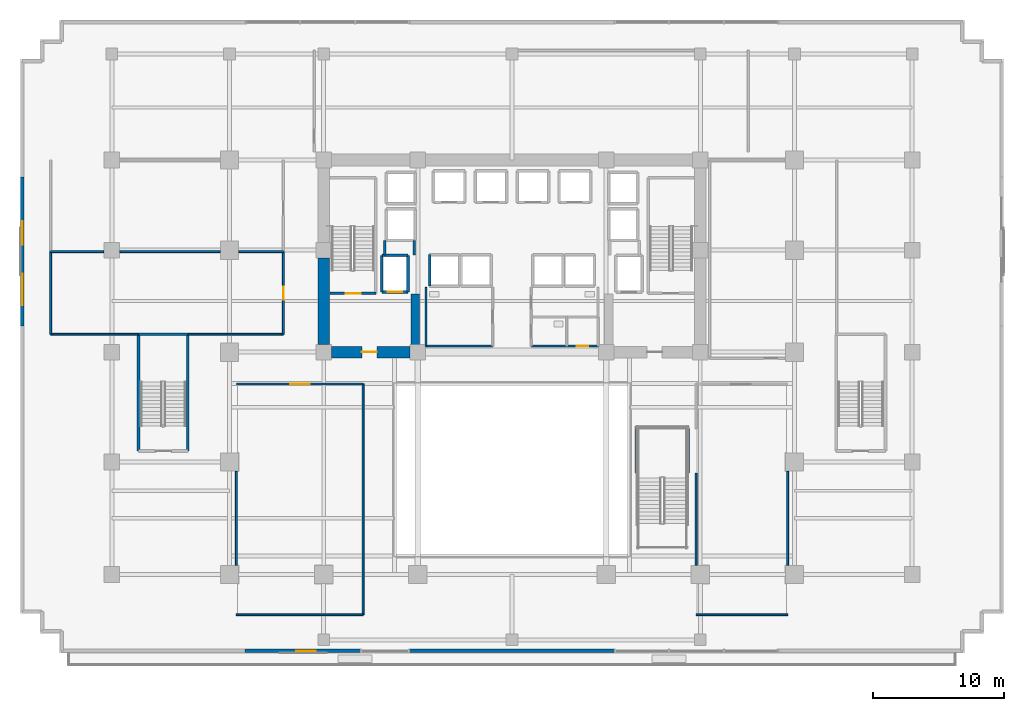
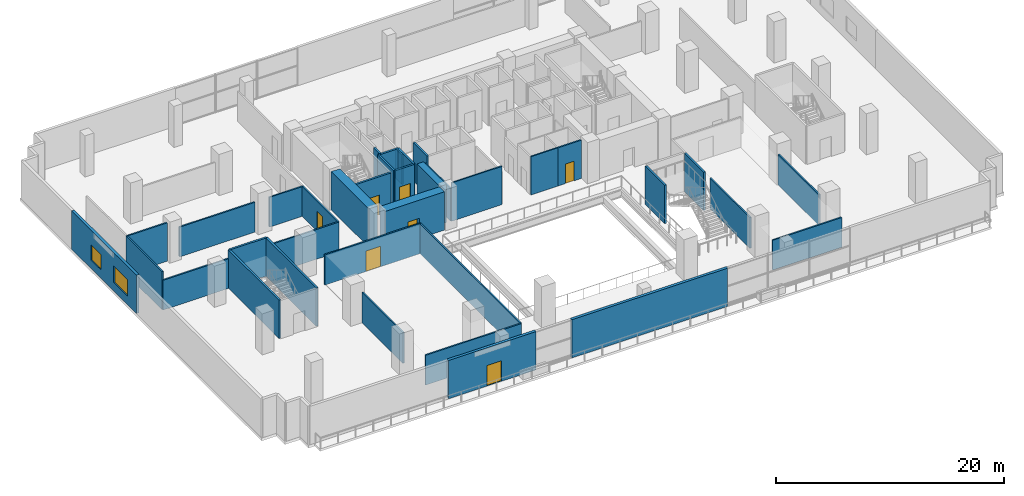
# One storey, part 12 of 22: 37 walls, 7 doors, 2 windows, 9 openings.
"""IFC4 building model written with IfcOpenShell, lengths in metres."""

from ifc_helpers import new_model, si_unit, direction, frame, frame_2d, origin, place, context, subcontext, project, spatial, rectangle, extrude, source, transform, mapped, material, layer, layer_set, type_object, element, fill, save


model = new_model("IFC4")

# Units and contexts
model_context = context("Model", 3, precision=1e-05, world=origin(), true_north=direction((0.0, 1.0)))
body_context = subcontext(model_context, "Body", "Model", "MODEL_VIEW")
ifc_project = project(units=[si_unit("LENGTHUNIT", "METRE"), si_unit("AREAUNIT", "SQUARE_METRE"), si_unit("VOLUMEUNIT", "CUBIC_METRE"), si_unit("PLANEANGLEUNIT", "RADIAN"), si_unit("MASSUNIT", "GRAM", prefix="KILO")], contexts=[model_context])

# Site, building, storey
site_placement = place(None, origin())
site = spatial("IfcSite", under=ifc_project, at=site_placement, CompositionType="ELEMENT")
building_placement = place(site_placement, origin())
building = spatial("IfcBuilding", under=site, at=building_placement, Name="Zarnakvel Exchange Tower", CompositionType="ELEMENT")
storey_placement = place(building_placement, frame((0.0, 0.0, 9.39990234375)))
storey = spatial("IfcBuildingStorey", under=building, at=storey_placement, Name="L02", CompositionType="ELEMENT", Elevation=9.39990234375)

# Wall
ifc_material_1 = material(Name="Concrete C80/95", Category="concrete")
ifc_layer_1 = layer(ifc_material_1, 0.89990234375)
ifc_layer_set_1 = layer_set([ifc_layer_1], Name="Concrete C80/95")
wall_type_1 = type_object("IfcWallType", Name="CW-C1", PredefinedType="SHEAR", material=ifc_layer_set_1)
wall_1_placement = place(storey_placement, frame((-14.39990234375, -0.60009765625, 0.0), z_axis=(0.0, 0.0, 1.0), x_axis=(0.0, 1.0, 0.0)))
element("IfcWall", 1, at=wall_1_placement, inside=storey, type_object=wall_type_1, Name="L02 Rear Core Shear Wall W1 (CW-C1)", PredefinedType="SHEAR", context=body_context, shape_type="SweptSolid", body=[
    extrude(rectangle(XDim=6.60009765625, YDim=0.89990234375, at=frame_2d((3.300048828125, 0.0))), origin(), (0.0, 0.0, 1.0), 4.10009765625),
])

# Wall, opening, door
wall_2_placement = place(storey_placement, frame((-7.800048828125, -1.199951171875, 0.0), z_axis=(0.0, 0.0, 1.0), x_axis=(-1.0, 0.0, 0.0)))
wall_2 = element("IfcWall", 2, at=wall_2_placement, inside=storey, type_object=wall_type_1, Name="L02 Rear Core Shear Wall SW (CW-C1)", PredefinedType="SHEAR", context=body_context, shape_type="SweptSolid", body=[
    extrude(rectangle(XDim=6.0, YDim=0.89990234375, at=frame_2d((3.0, 0.0))), origin(), (0.0, 0.0, 1.0), 4.10009765625),
])
opening_1_placement = place(wall_2_placement, frame((2.52490234375, 0.0, 0.0)))
opening_1 = element("IfcOpeningElement", 3, at=opening_1_placement, cuts=wall_2, Name="Opening D-L02-03", PredefinedType="OPENING", context=body_context, shape_type="SweptSolid", body=[
    extrude(rectangle(XDim=1.14990234375, YDim=2.14990234375, at=frame_2d((0.574951171875, 1.074951171875))), frame((0.0, 0.4599609375, 0.0), z_axis=(0.0, -1.0, 0.0), x_axis=(1.0, 0.0, 0.0)), (0.0, 0.0, 1.0), 0.919921875),
])
ifc_material_2 = material(Name="Painted Galvanised Steel S355", Category="steel")
door_type_1 = type_object("IfcDoorType", Name="DT-04", OperationType="NOTDEFINED", PredefinedType="DOOR", material=ifc_material_2)
shared_shape_1 = source(origin(), body_context, "Body", "SweptSolid", [
    extrude(rectangle(XDim=1.14990234375, YDim=2.14990234375, at=frame_2d((0.574951171875, 1.074951171875))), frame((0.0, 0.02490234375, 0.0), z_axis=(0.0, -1.0, 0.0), x_axis=(1.0, 0.0, 0.0)), (0.0, 0.0, 1.0), 0.050048828125),
])
door_1_placement = place(opening_1_placement, origin())
door_1 = element("IfcDoor", 4, at=door_1_placement, inside=storey, type_object=door_type_1, Name="L02 Firefighting Lobby West Door D-L02-03", OperationType="SINGLE_SWING_LEFT", OverallHeight=2.14990234375, OverallWidth=1.14990234375, PredefinedType="DOOR", context=body_context, shape_type="MappedRepresentation", body=[
    mapped(shared_shape_1, transform((0.0, 0.0, 0.0), x_axis=(1.0, 0.0, 0.0), y_axis=(0.0, 1.0, 0.0), z_axis=(0.0, 0.0, 1.0), scale=1.0)),
])
fill(opening_1, door_1)

# Wall
ifc_layer_2 = layer(ifc_material_1, 0.64990234375)
ifc_layer_set_2 = layer_set([ifc_layer_2], Name="Concrete C80/95")
wall_type_2 = type_object("IfcWallType", Name="CW-C2", PredefinedType="SHEAR", material=ifc_layer_set_2)
wall_3_placement = place(storey_placement, frame((-7.39990234375, -0.75, 0.0), z_axis=(0.0, 0.0, 1.0), x_axis=(0.0, 1.0, 0.0)))
element("IfcWall", 5, at=wall_3_placement, inside=storey, type_object=wall_type_2, Name="L02 Rear Core Shear Wall IW (CW-C2)", PredefinedType="SHEAR", context=body_context, shape_type="SweptSolid", body=[
    extrude(rectangle(XDim=4.0, YDim=0.64990234375, at=frame_2d((2.0, 0.0))), origin(), (0.0, 0.0, 1.0), 4.10009765625),
])

# Wall, openings, windows
ifc_material_3 = material(Name="Precast concrete C40/50", Category="concrete")
ifc_layer_3 = layer(ifc_material_3, 0.280029296875)
ifc_layer_set_3 = layer_set([ifc_layer_3], Name="Precast concrete C40/50")
wall_type_3 = type_object("IfcWallType", Name="EW-01", PredefinedType="SOLIDWALL", material=ifc_layer_set_3)
wall_4_placement = place(storey_placement, frame((-37.43994140625, 0.800048828125, 0.0), z_axis=(0.0, 0.0, 1.0), x_axis=(0.0, 1.0, 0.0)))
wall_4 = element("IfcWall", 6, at=wall_4_placement, inside=storey, type_object=wall_type_3, Name="L02 Exterior Precast Spandrel Wall EW-L02-WF (EW-01)", PredefinedType="SOLIDWALL", context=body_context, shape_type="SweptSolid", body=[
    extrude(rectangle(XDim=11.39990234375, YDim=0.280029296875, at=frame_2d((5.699951171875, 0.0))), origin(), (0.0, 0.0, 1.0), 4.10009765625),
])
opening_2_placement = place(wall_4_placement, frame((1.60009765625, 0.0, 0.89990234375)))
opening_2 = element("IfcOpeningElement", 7, at=opening_2_placement, cuts=wall_4, Name="Opening WN-01", PredefinedType="OPENING", context=body_context, shape_type="SweptSolid", body=[
    extrude(rectangle(XDim=2.39990234375, YDim=1.800048828125, at=frame_2d((1.199951171875, 0.89990234375))), frame((0.0, 0.14990234375, 0.0), z_axis=(0.0, -1.0, 0.0), x_axis=(1.0, 0.0, 0.0)), (0.0, 0.0, 1.0), 0.300048828125),
])
opening_3_placement = place(wall_4_placement, frame((6.199951171875, 0.0, 0.89990234375)))
opening_3 = element("IfcOpeningElement", 8, at=opening_3_placement, cuts=wall_4, Name="Opening WN-02", PredefinedType="OPENING", context=body_context, shape_type="SweptSolid", body=[
    extrude(rectangle(XDim=1.800048828125, YDim=1.64990234375, at=frame_2d((0.89990234375, 0.824951171875))), frame((0.0, 0.14990234375, 0.0), z_axis=(0.0, -1.0, 0.0), x_axis=(1.0, 0.0, 0.0)), (0.0, 0.0, 1.0), 0.300048828125),
])
ifc_material_4 = material(Name="Double Low-E Laminated Vision Glass", Category="glass")
window_type_1 = type_object("IfcWindowType", Name="WN-01", PartitioningType="SINGLE_PANEL", PredefinedType="WINDOW", material=ifc_material_4)
shared_shape_2 = source(origin(), body_context, "Body", "SweptSolid", [
    extrude(rectangle(XDim=2.39990234375, YDim=1.800048828125, at=frame_2d((1.199951171875, 0.89990234375))), frame((0.0, 0.030029296875, 0.0), z_axis=(0.0, -1.0, 0.0), x_axis=(1.0, 0.0, 0.0)), (0.0, 0.0, 1.0), 0.06005859375),
])
window_1_placement = place(opening_2_placement, origin())
window_1 = element("IfcWindow", 9, at=window_1_placement, inside=storey, type_object=window_type_1, Name="L02 West Flank Window 1", OverallHeight=1.800048828125, OverallWidth=2.39990234375, PartitioningType="SINGLE_PANEL", PredefinedType="WINDOW", context=body_context, shape_type="MappedRepresentation", body=[
    mapped(shared_shape_2, transform((0.0, 0.0, 0.0), x_axis=(1.0, 0.0, 0.0), y_axis=(0.0, 1.0, 0.0), z_axis=(0.0, 0.0, 1.0), scale=1.0)),
])
fill(opening_2, window_1)
window_type_2 = type_object("IfcWindowType", Name="WN-02", PartitioningType="SINGLE_PANEL", PredefinedType="WINDOW", material=ifc_material_4)
shared_shape_3 = source(origin(), body_context, "Body", "SweptSolid", [
    extrude(rectangle(XDim=1.800048828125, YDim=1.64990234375, at=frame_2d((0.89990234375, 0.824951171875))), frame((0.0, 0.030029296875, 0.0), z_axis=(0.0, -1.0, 0.0), x_axis=(1.0, 0.0, 0.0)), (0.0, 0.0, 1.0), 0.06005859375),
])
window_2_placement = place(opening_3_placement, origin())
window_2 = element("IfcWindow", 10, at=window_2_placement, inside=storey, type_object=window_type_2, Name="L02 West Flank Window 2", OverallHeight=1.64990234375, OverallWidth=1.800048828125, PartitioningType="SINGLE_PANEL", PredefinedType="WINDOW", context=body_context, shape_type="MappedRepresentation", body=[
    mapped(shared_shape_3, transform((0.0, 0.0, 0.0), x_axis=(1.0, 0.0, 0.0), y_axis=(0.0, 1.0, 0.0), z_axis=(0.0, 0.0, 1.0), scale=1.0)),
])
fill(opening_3, window_2)

# Wall, opening, door
wall_5_placement = place(storey_placement, frame((-11.5048828125, -24.0400390625, 0.0), z_axis=(0.0, 0.0, 1.0), x_axis=(-1.0, 0.0, 0.0)))
wall_5 = element("IfcWall", 11, at=wall_5_placement, inside=storey, type_object=wall_type_3, Name="L02 Exterior Precast Spandrel Wall EW-L02-PT (EW-01)", PredefinedType="SOLIDWALL", context=body_context, shape_type="SweptSolid", body=[
    extrude(rectangle(XDim=8.89501953125, YDim=0.280029296875, at=frame_2d((4.447509765625, 0.0))), origin(), (0.0, 0.0, 1.0), 4.10009765625),
])
opening_4_placement = place(wall_5_placement, frame((3.4951171875, 0.0, 0.0)))
opening_4 = element("IfcOpeningElement", 12, at=opening_4_placement, cuts=wall_5, Name="Opening TD-L02-01", PredefinedType="OPENING", context=body_context, shape_type="SweptSolid", body=[
    extrude(rectangle(XDim=1.5, YDim=2.199951171875, at=frame_2d((0.75, 1.10009765625))), frame((0.0, 0.14990234375, 0.0), z_axis=(0.0, -1.0, 0.0), x_axis=(1.0, 0.0, 0.0)), (0.0, 0.0, 1.0), 0.300048828125),
])
ifc_material_5 = material(Name="Architectural Bronze Anodised Aluminium", Category="aluminium")
door_type_2 = type_object("IfcDoorType", Name="DT-10", OperationType="NOTDEFINED", PredefinedType="DOOR", material=ifc_material_5)
shared_shape_4 = source(origin(), body_context, "Body", "SweptSolid", [
    extrude(rectangle(XDim=1.5, YDim=2.199951171875, at=frame_2d((0.75, 1.10009765625))), frame((0.0, 0.02490234375, 0.0), z_axis=(0.0, -1.0, 0.0), x_axis=(1.0, 0.0, 0.0)), (0.0, 0.0, 1.0), 0.050048828125),
])
door_2_placement = place(opening_4_placement, origin())
door_2 = element("IfcDoor", 13, at=door_2_placement, inside=storey, type_object=door_type_2, Name="L02 Podium Terrace Access Door TD-L02-01", OperationType="DOUBLE_DOOR_SINGLE_SWING", OverallHeight=2.199951171875, OverallWidth=1.5, PredefinedType="DOOR", context=body_context, shape_type="MappedRepresentation", body=[
    mapped(shared_shape_4, transform((0.0, 0.0, 0.0), x_axis=(1.0, 0.0, 0.0), y_axis=(0.0, 1.0, 0.0), z_axis=(0.0, 0.0, 1.0), scale=1.0)),
])
fill(opening_4, door_2)

# Wall
wall_6_placement = place(storey_placement, frame((-7.89501953125, -24.0400390625, 0.0), z_axis=(0.0, 0.0, 1.0), x_axis=(1.0, 0.0, 0.0)))
element("IfcWall", 14, at=wall_6_placement, inside=storey, type_object=wall_type_3, Name="L02 Exterior Precast Spandrel Wall EWC-L02-21 (EW-01)", PredefinedType="SOLIDWALL", context=body_context, shape_type="SweptSolid", body=[
    extrude(rectangle(XDim=15.7900390625, YDim=0.280029296875, at=frame_2d((7.89501953125, 0.0))), origin(), (0.0, 0.0, 1.0), 4.10009765625),
])

# Wall, opening, door
ifc_material_6 = material(Name="Fire-Rated Gypsum Stud Partition", Category="gypsum")
ifc_layer_4 = layer(ifc_material_6, 0.14990234375)
ifc_layer_set_4 = layer_set([ifc_layer_4], Name="Fire-Rated Gypsum Stud Partition")
wall_type_4 = type_object("IfcWallType", Name="PT-01", PredefinedType="PARTITIONING", material=ifc_layer_set_4)
wall_7_placement = place(storey_placement, frame((6.580078125, -0.72998046875, 0.0), z_axis=(0.0, 0.0, 1.0), x_axis=(-1.0, 0.0, 0.0)))
wall_7 = element("IfcWall", 15, at=wall_7_placement, inside=storey, type_object=wall_type_4, Name="L02 Partition Wall PWALL-L02-020 (PT-01)", PredefinedType="PARTITIONING", context=body_context, shape_type="SweptSolid", body=[
    extrude(rectangle(XDim=2.400146484375, YDim=0.14990234375, at=frame_2d((1.2001953125, 0.0))), origin(), (0.0, 0.0, 1.0), 4.10009765625),
])
opening_5_placement = place(wall_7_placement, frame((0.760009765625, 0.0, 0.0)))
opening_5 = element("IfcOpeningElement", 16, at=opening_5_placement, cuts=wall_7, Name="Opening D-L02-08", PredefinedType="OPENING", context=body_context, shape_type="SweptSolid", body=[
    extrude(rectangle(XDim=0.8798828125, YDim=2.10009765625, at=frame_2d((0.43994140625, 1.050048828125))), frame((0.0, 0.0849609375, 0.0), z_axis=(0.0, -1.0, 0.0), x_axis=(1.0, 0.0, 0.0)), (0.0, 0.0, 1.0), 0.169921875),
])
door_type_3 = type_object("IfcDoorType", Name="DT-08", OperationType="NOTDEFINED", PredefinedType="DOOR", material=ifc_material_2)
shared_shape_5 = source(origin(), body_context, "Body", "SweptSolid", [
    extrude(rectangle(XDim=0.8798828125, YDim=2.10009765625, at=frame_2d((0.43994140625, 1.050048828125))), frame((0.0, 0.02490234375, 0.0), z_axis=(0.0, -1.0, 0.0), x_axis=(1.0, 0.0, 0.0)), (0.0, 0.0, 1.0), 0.050048828125),
])
door_3_placement = place(opening_5_placement, origin())
door_3 = element("IfcDoor", 17, at=door_3_placement, inside=storey, type_object=door_type_3, Name="L02 Cleaners Store Door D-L02-08", OperationType="SINGLE_SWING_RIGHT", OverallHeight=2.10009765625, OverallWidth=0.8798828125, PredefinedType="DOOR", context=body_context, shape_type="MappedRepresentation", body=[
    mapped(shared_shape_5, transform((0.0, 0.0, 0.0), x_axis=(1.0, 0.0, 0.0), y_axis=(0.0, 1.0, 0.0), z_axis=(0.0, 0.0, 1.0), scale=1.0)),
])
fill(opening_5, door_3)

# Wall
wall_8_placement = place(storey_placement, frame((-11.3798828125, -21.280029296875, 0.0), z_axis=(0.0, 0.0, 1.0), x_axis=(-1.0, 0.0, 0.0)))
element("IfcWall", 18, at=wall_8_placement, inside=storey, type_object=wall_type_4, Name="L02 Partition Wall PWALL-L02-030 (PT-01)", PredefinedType="PARTITIONING", context=body_context, shape_type="SweptSolid", body=[
    extrude(rectangle(XDim=9.7001953125, YDim=0.14990234375, at=frame_2d((4.85009765625, 0.0))), origin(), (0.0, 0.0, 1.0), 3.190185546875),
])

# Wall, opening, door
wall_9_placement = place(storey_placement, frame((-21.080078125, -3.6298828125, 0.0), z_axis=(0.0, 0.0, 1.0), x_axis=(1.0, 0.0, 0.0)))
wall_9 = element("IfcWall", 19, at=wall_9_placement, inside=storey, type_object=wall_type_4, Name="L02 Partition Wall PWALL-L02-031 (PT-01)", PredefinedType="PARTITIONING", context=body_context, shape_type="SweptSolid", body=[
    extrude(rectangle(XDim=9.7001953125, YDim=0.14990234375, at=frame_2d((4.85009765625, 0.0))), origin(), (0.0, 0.0, 1.0), 3.2392578125),
])
opening_6_placement = place(wall_9_placement, frame((4.1298828125, 0.0, 0.0)))
opening_6 = element("IfcOpeningElement", 20, at=opening_6_placement, cuts=wall_9, Name="Opening D-L02-11", PredefinedType="OPENING", context=body_context, shape_type="SweptSolid", body=[
    extrude(rectangle(XDim=1.5, YDim=2.199951171875, at=frame_2d((0.75, 1.10009765625))), frame((0.0, 0.0849609375, 0.0), z_axis=(0.0, -1.0, 0.0), x_axis=(1.0, 0.0, 0.0)), (0.0, 0.0, 1.0), 0.169921875),
])
ifc_material_7 = material(Name="Timber Acoustic Veneer", Category="wood")
door_type_4 = type_object("IfcDoorType", Name="DT-03", OperationType="NOTDEFINED", PredefinedType="DOOR", material=ifc_material_7)
door_4_placement = place(opening_6_placement, origin())
door_4 = element("IfcDoor", 21, at=door_4_placement, inside=storey, type_object=door_type_4, Name="L02 Financial Exhibition Hall Door D-L02-11", OperationType="DOUBLE_DOOR_SINGLE_SWING", OverallHeight=2.199951171875, OverallWidth=1.5, PredefinedType="DOOR", context=body_context, shape_type="MappedRepresentation", body=[
    mapped(shared_shape_4, transform((0.0, 0.0, 0.0), x_axis=(1.0, 0.0, 0.0), y_axis=(0.0, 1.0, 0.0), z_axis=(0.0, 0.0, 1.0), scale=1.0)),
])
fill(opening_6, door_4)

# Walls
wall_10_placement = place(storey_placement, frame((-21.080078125, -17.47998046875, 0.0), z_axis=(0.0, 0.0, 1.0), x_axis=(0.0, 1.0, 0.0)))
element("IfcWall", 22, at=wall_10_placement, inside=storey, type_object=wall_type_4, Name="L02 Partition Wall PWALL-L02-032 (PT-01)", PredefinedType="PARTITIONING", context=body_context, shape_type="SweptSolid", body=[
    extrude(rectangle(XDim=7.159912109375, YDim=0.14990234375, at=frame_2d((3.580078125, 0.0))), origin(), (0.0, 0.0, 1.0), 3.2900390625),
])
wall_11_placement = place(storey_placement, frame((-11.3798828125, -3.6298828125, 0.0), z_axis=(0.0, 0.0, 1.0), x_axis=(0.0, -1.0, 0.0)))
element("IfcWall", 23, at=wall_11_placement, inside=storey, type_object=wall_type_4, Name="L02 Partition Wall PWALL-L02-033 (PT-01)", PredefinedType="PARTITIONING", context=body_context, shape_type="SweptSolid", body=[
    extrude(rectangle(XDim=17.650146484375, YDim=0.14990234375, at=frame_2d((8.8251953125, 0.0))), origin(), (0.0, 0.0, 1.0), 3.190185546875),
])
wall_12_placement = place(storey_placement, frame((21.080078125, -21.280029296875, 0.0), z_axis=(0.0, 0.0, 1.0), x_axis=(-1.0, 0.0, 0.0)))
element("IfcWall", 24, at=wall_12_placement, inside=storey, type_object=wall_type_4, Name="L02 Partition Wall PWALL-L02-034 (PT-01)", PredefinedType="PARTITIONING", context=body_context, shape_type="SweptSolid", body=[
    extrude(rectangle(XDim=7.0, YDim=0.14990234375, at=frame_2d((3.5, 0.0))), origin(), (0.0, 0.0, 1.0), 3.190185546875),
])
wall_13_placement = place(storey_placement, frame((14.080078125, -17.47998046875, 0.0), z_axis=(0.0, 0.0, 1.0), x_axis=(0.0, 1.0, 0.0)))
element("IfcWall", 25, at=wall_13_placement, inside=storey, type_object=wall_type_4, Name="L02 Partition Wall PWALL-L02-036 (PT-01)", PredefinedType="PARTITIONING", context=body_context, shape_type="SweptSolid", body=[
    extrude(rectangle(XDim=7.030029296875, YDim=0.14990234375, at=frame_2d((3.51513671875, 0.0))), origin(), (0.0, 0.0, 1.0), 3.2900390625),
])
wall_14_placement = place(storey_placement, frame((21.080078125, -10.320068359375, 0.0), z_axis=(0.0, 0.0, 1.0), x_axis=(0.0, -1.0, 0.0)))
element("IfcWall", 26, at=wall_14_placement, inside=storey, type_object=wall_type_4, Name="L02 Partition Wall PWALL-L02-038 (PT-01)", PredefinedType="PARTITIONING", context=body_context, shape_type="SweptSolid", body=[
    extrude(rectangle(XDim=7.159912109375, YDim=0.14990234375, at=frame_2d((3.580078125, 0.0))), origin(), (0.0, 0.0, 1.0), 3.2900390625),
])
wall_15_placement = place(storey_placement, frame((-28.56005859375, 0.169921875, 0.0), z_axis=(0.0, 0.0, 1.0), x_axis=(-1.0, 0.0, 0.0)))
element("IfcWall", 27, at=wall_15_placement, inside=storey, type_object=wall_type_4, Name="L02 Partition Wall PWALL-L02-039 (PT-01)", PredefinedType="PARTITIONING", context=body_context, shape_type="SweptSolid", body=[
    extrude(rectangle(XDim=6.719970703125, YDim=0.14990234375, at=frame_2d((3.35986328125, 0.0))), origin(), (0.0, 0.0, 1.0), 3.190185546875),
])
wall_16_placement = place(storey_placement, frame((-17.47998046875, 0.169921875, 0.0), z_axis=(0.0, 0.0, 1.0), x_axis=(-1.0, 0.0, 0.0)))
element("IfcWall", 28, at=wall_16_placement, inside=storey, type_object=wall_type_4, Name="L02 Partition Wall PWALL-L02-040 (PT-01)", PredefinedType="PARTITIONING", context=body_context, shape_type="SweptSolid", body=[
    extrude(rectangle(XDim=7.31005859375, YDim=0.14990234375, at=frame_2d((3.655029296875, 0.0))), origin(), (0.0, 0.0, 1.0), 3.190185546875),
])
wall_17_placement = place(storey_placement, frame((-29.97998046875, 6.47998046875, 0.0), z_axis=(0.0, 0.0, 1.0), x_axis=(1.0, 0.0, 0.0)))
element("IfcWall", 29, at=wall_17_placement, inside=storey, type_object=wall_type_4, Name="L02 Partition Wall PWALL-L02-041 (PT-01)", PredefinedType="PARTITIONING", context=body_context, shape_type="SweptSolid", body=[
    extrude(rectangle(XDim=7.659912109375, YDim=0.14990234375, at=frame_2d((3.830078125, 0.0))), origin(), (0.0, 0.0, 1.0), 3.190185546875),
])
wall_18_placement = place(storey_placement, frame((-35.280029296875, 0.169921875, 0.0), z_axis=(0.0, 0.0, 1.0), x_axis=(0.0, 1.0, 0.0)))
element("IfcWall", 30, at=wall_18_placement, inside=storey, type_object=wall_type_4, Name="L02 Partition Wall PWALL-L02-042 (PT-01)", PredefinedType="PARTITIONING", context=body_context, shape_type="SweptSolid", body=[
    extrude(rectangle(XDim=6.31005859375, YDim=0.14990234375, at=frame_2d((3.155029296875, 0.0))), origin(), (0.0, 0.0, 1.0), 4.10009765625),
])

# Wall, opening, door
wall_19_placement = place(storey_placement, frame((-17.47998046875, 6.47998046875, 0.0), z_axis=(0.0, 0.0, 1.0), x_axis=(0.0, -1.0, 0.0)))
wall_19 = element("IfcWall", 31, at=wall_19_placement, inside=storey, type_object=wall_type_4, Name="L02 Partition Wall PWALL-L02-043 (PT-01)", PredefinedType="PARTITIONING", context=body_context, shape_type="SweptSolid", body=[
    extrude(rectangle(XDim=6.31005859375, YDim=0.14990234375, at=frame_2d((3.155029296875, 0.0))), origin(), (0.0, 0.0, 1.0), 3.190185546875),
])
opening_7_placement = place(wall_19_placement, frame((2.68994140625, 0.0, 0.0)))
opening_7 = element("IfcOpeningElement", 32, at=opening_7_placement, cuts=wall_19, Name="Opening D-L02-13", PredefinedType="OPENING", context=body_context, shape_type="SweptSolid", body=[
    extrude(rectangle(XDim=0.97998046875, YDim=2.14990234375, at=frame_2d((0.489990234375, 1.074951171875))), frame((0.0, 0.0849609375, 0.0), z_axis=(0.0, -1.0, 0.0), x_axis=(1.0, 0.0, 0.0)), (0.0, 0.0, 1.0), 0.169921875),
])
door_type_5 = type_object("IfcDoorType", Name="DT-05", OperationType="NOTDEFINED", PredefinedType="DOOR", material=ifc_material_7)
shared_shape_6 = source(origin(), body_context, "Body", "SweptSolid", [
    extrude(rectangle(XDim=0.97998046875, YDim=2.14990234375, at=frame_2d((0.489990234375, 1.074951171875))), frame((0.0, 0.02490234375, 0.0), z_axis=(0.0, -1.0, 0.0), x_axis=(1.0, 0.0, 0.0)), (0.0, 0.0, 1.0), 0.050048828125),
])
door_5_placement = place(opening_7_placement, origin())
door_5 = element("IfcDoor", 33, at=door_5_placement, inside=storey, type_object=door_type_5, Name="L02 Media Production Studio Door D-L02-13", OperationType="SINGLE_SWING_LEFT", OverallHeight=2.14990234375, OverallWidth=0.97998046875, PredefinedType="DOOR", context=body_context, shape_type="MappedRepresentation", body=[
    mapped(shared_shape_6, transform((0.0, 0.0, 0.0), x_axis=(1.0, 0.0, 0.0), y_axis=(0.0, 1.0, 0.0), z_axis=(0.0, 0.0, 1.0), scale=1.0)),
])
fill(opening_7, door_5)

# Walls
wall_20_placement = place(storey_placement, frame((-31.219970703125, 6.47998046875, 0.0), z_axis=(0.0, 0.0, 1.0), x_axis=(-1.0, 0.0, 0.0)))
element("IfcWall", 34, at=wall_20_placement, inside=storey, type_object=wall_type_4, Name="L02 Partition Wall PWALL-L02-044 (PT-01)", PredefinedType="PARTITIONING", context=body_context, shape_type="SweptSolid", body=[
    extrude(rectangle(XDim=4.06005859375, YDim=0.14990234375, at=frame_2d((2.030029296875, 0.0))), origin(), (0.0, 0.0, 1.0), 4.10009765625),
])
wall_21_placement = place(storey_placement, frame((-17.47998046875, 6.47998046875, 0.0), z_axis=(0.0, 0.0, 1.0), x_axis=(-1.0, 0.0, 0.0)))
element("IfcWall", 35, at=wall_21_placement, inside=storey, type_object=wall_type_4, Name="L02 Partition Wall PWALL-L02-045 (PT-01)", PredefinedType="PARTITIONING", context=body_context, shape_type="SweptSolid", body=[
    extrude(rectangle(XDim=3.39990234375, YDim=0.14990234375, at=frame_2d((1.699951171875, 0.0))), origin(), (0.0, 0.0, 1.0), 3.190185546875),
])
ifc_layer_5 = layer(ifc_material_6, 0.179931640625)
ifc_layer_set_5 = layer_set([ifc_layer_5], Name="Fire-Rated Gypsum Stud Partition")
wall_type_5 = type_object("IfcWallType", Name="PT-02", PredefinedType="PARTITIONING", material=ifc_layer_set_5)
wall_22_placement = place(storey_placement, frame((-9.72998046875, 6.239990234375, 0.0), z_axis=(0.0, 0.0, 1.0), x_axis=(0.0, 1.0, 0.0)))
element("IfcWall", 36, at=wall_22_placement, inside=storey, type_object=wall_type_5, Name="L02 Partition Wall PWALL-L02-007 (PT-02)", PredefinedType="PARTITIONING", context=body_context, shape_type="SweptSolid", body=[
    extrude(rectangle(XDim=1.090087890625, YDim=0.179931640625, at=frame_2d((0.544921875, 0.0))), origin(), (0.0, 0.0, 1.0), 4.10009765625),
])
wall_23_placement = place(storey_placement, frame((-7.469970703125, 7.330078125, 0.0), z_axis=(0.0, 0.0, 1.0), x_axis=(0.0, -1.0, 0.0)))
element("IfcWall", 37, at=wall_23_placement, inside=storey, type_object=wall_type_5, Name="L02 Partition Wall PWALL-L02-008 (PT-02)", PredefinedType="PARTITIONING", context=body_context, shape_type="SweptSolid", body=[
    extrude(rectangle(XDim=1.090087890625, YDim=0.179931640625, at=frame_2d((0.544921875, 0.0))), origin(), (0.0, 0.0, 1.0), 3.190185546875),
])
ifc_material_8 = material(Name="Moisture-Resistant Tile-Faced Partition", Category="gypsum")
ifc_layer_6 = layer(ifc_material_8, 0.135009765625)
ifc_layer_set_6 = layer_set([ifc_layer_6], Name="Moisture-Resistant Tile-Faced Partition")
wall_type_6 = type_object("IfcWallType", Name="PT-03", PredefinedType="PARTITIONING", material=ifc_layer_set_6)
wall_24_placement = place(storey_placement, frame((-1.469970703125, -0.72998046875, 0.0), z_axis=(0.0, 0.0, 1.0), x_axis=(-1.0, 0.0, 0.0)))
element("IfcWall", 38, at=wall_24_placement, inside=storey, type_object=wall_type_6, Name="L02 Partition Wall PWALL-L02-011 (PT-03)", PredefinedType="PARTITIONING", context=body_context, shape_type="SweptSolid", body=[
    extrude(rectangle(XDim=5.110107421875, YDim=0.135009765625, at=frame_2d((2.55517578125, 0.0))), origin(), (0.0, 0.0, 1.0), 4.10009765625),
])
wall_25_placement = place(storey_placement, frame((-6.580078125, -0.72998046875, 0.0), z_axis=(0.0, 0.0, 1.0), x_axis=(0.0, 1.0, 0.0)))
element("IfcWall", 39, at=wall_25_placement, inside=storey, type_object=wall_type_6, Name="L02 Partition Wall PWALL-L02-012 (PT-03)", PredefinedType="PARTITIONING", context=body_context, shape_type="SweptSolid", body=[
    extrude(rectangle(XDim=4.489990234375, YDim=0.135009765625, at=frame_2d((2.2451171875, 0.0))), origin(), (0.0, 0.0, 1.0), 3.472900390625),
])
wall_26_placement = place(storey_placement, frame((4.179931640625, -0.72998046875, 0.0), z_axis=(0.0, 0.0, 1.0), x_axis=(-1.0, 0.0, 0.0)))
element("IfcWall", 40, at=wall_26_placement, inside=storey, type_object=wall_type_6, Name="L02 Partition Wall PWALL-L02-017 (PT-03)", PredefinedType="PARTITIONING", context=body_context, shape_type="SweptSolid", body=[
    extrude(rectangle(XDim=2.7099609375, YDim=0.135009765625, at=frame_2d((1.35498046875, 0.0))), origin(), (0.0, 0.0, 1.0), 4.10009765625),
])

# Wall, opening, door
ifc_material_9 = material(Name="Concrete C40/50", Category="concrete")
ifc_layer_7 = layer(ifc_material_9, 0.199951171875)
ifc_layer_set_7 = layer_set([ifc_layer_7], Name="Concrete C40/50")
wall_type_7 = type_object("IfcWallType", Name="SW-01", PredefinedType="SOLIDWALL", material=ifc_layer_set_7)
wall_27_placement = place(storey_placement, frame((-7.949951171875, 3.39990234375, 0.0), z_axis=(0.0, 0.0, 1.0), x_axis=(-1.0, 0.0, 0.0)))
wall_27 = element("IfcWall", 41, at=wall_27_placement, inside=storey, type_object=wall_type_7, Name="L02 FL-01 Hoistway Wall South", PredefinedType="SOLIDWALL", context=body_context, shape_type="SweptSolid", body=[
    extrude(rectangle(XDim=2.0, YDim=0.199951171875, at=frame_2d((1.0, 0.0))), origin(), (0.0, 0.0, 1.0), 4.10009765625),
])
opening_8_placement = place(wall_27_placement, frame((0.449951171875, 0.0, 0.0)))
opening_8 = element("IfcOpeningElement", 42, at=opening_8_placement, cuts=wall_27, Name="Opening LD-FL-01-L02", PredefinedType="OPENING", context=body_context, shape_type="SweptSolid", body=[
    extrude(rectangle(XDim=1.10009765625, YDim=2.199951171875, at=frame_2d((0.550048828125, 1.10009765625))), frame((0.0, 0.10986328125, 0.0), z_axis=(0.0, -1.0, 0.0), x_axis=(1.0, 0.0, 0.0)), (0.0, 0.0, 1.0), 0.219970703125),
])
ifc_material_10 = material(Name="Brushed Stainless Steel", Category="steel")
door_type_6 = type_object("IfcDoorType", Name="LDT-01", OperationType="NOTDEFINED", PredefinedType="DOOR", material=ifc_material_10)
shared_shape_7 = source(origin(), body_context, "Body", "SweptSolid", [
    extrude(rectangle(XDim=1.10009765625, YDim=2.199951171875, at=frame_2d((0.550048828125, 1.10009765625))), frame((0.0, 0.02490234375, 0.0), z_axis=(0.0, -1.0, 0.0), x_axis=(1.0, 0.0, 0.0)), (0.0, 0.0, 1.0), 0.050048828125),
])
door_6_placement = place(opening_8_placement, origin())
door_6 = element("IfcDoor", 43, at=door_6_placement, inside=storey, type_object=door_type_6, Name="L02 FL-01 Lift Landing Door LD-FL-01-L02", OperationType="DOUBLE_DOOR_SLIDING", OverallHeight=2.199951171875, OverallWidth=1.10009765625, PredefinedType="DOOR", context=body_context, shape_type="MappedRepresentation", body=[
    mapped(shared_shape_7, transform((0.0, 0.0, 0.0), x_axis=(1.0, 0.0, 0.0), y_axis=(0.0, 1.0, 0.0), z_axis=(0.0, 0.0, 1.0), scale=1.0)),
])
fill(opening_8, door_6)

# Walls
wall_28_placement = place(storey_placement, frame((-9.949951171875, 6.199951171875, 0.0), z_axis=(0.0, 0.0, 1.0), x_axis=(1.0, 0.0, 0.0)))
element("IfcWall", 44, at=wall_28_placement, inside=storey, type_object=wall_type_7, Name="L02 FL-01 Hoistway Wall North", PredefinedType="SOLIDWALL", context=body_context, shape_type="SweptSolid", body=[
    extrude(rectangle(XDim=2.0, YDim=0.199951171875, at=frame_2d((1.0, 0.0))), origin(), (0.0, 0.0, 1.0), 4.10009765625),
])
for number, where, z_axis, x_axis, name in (
    (45, (-9.949951171875, 3.39990234375, 0.0), (0.0, 0.0, 1.0), (0.0, 1.0, 0.0), "L02 FL-01 Hoistway Wall West"),
    (46, (-7.949951171875, 6.199951171875, 0.0), (0.0, 0.0, 1.0), (0.0, -1.0, 0.0), "L02 FL-01 Hoistway Wall East"),
):
    element("IfcWall", number, at=place(storey_placement, frame(where, z_axis=z_axis, x_axis=x_axis)), inside=storey, type_object=wall_type_7, Name=name, PredefinedType="SOLIDWALL", context=body_context, shape_type="SweptSolid", body=[
        extrude(rectangle(XDim=2.800048828125, YDim=0.199951171875, at=frame_2d((1.39990234375, 0.0))), origin(), (0.0, 0.0, 1.0), 4.10009765625),
    ])
wall_29_placement = place(storey_placement, frame((-6.300048828125, 3.85009765625, 0.0), z_axis=(0.0, 0.0, 1.0), x_axis=(0.0, 1.0, 0.0)))
element("IfcWall", 47, at=wall_29_placement, inside=storey, type_object=wall_type_7, Name="L02 PL-05 Hoistway Wall West", PredefinedType="SOLIDWALL", context=body_context, shape_type="SweptSolid", body=[
    extrude(rectangle(XDim=2.39990234375, YDim=0.199951171875, at=frame_2d((1.199951171875, 0.0))), origin(), (0.0, 0.0, 1.0), 4.10009765625),
])
ifc_layer_8 = layer(ifc_material_9, 0.199951171875)
ifc_layer_set_8 = layer_set([ifc_layer_8], Name="Concrete C40/50")
wall_type_8 = type_object("IfcWallType", Name="SW-02", PredefinedType="SOLIDWALL", material=ifc_layer_set_8)
for number, where, z_axis, x_axis, name in (
    (48, (9.52001953125, -10.449951171875, 0.0), (0.0, 0.0, 1.0), (0.0, 1.0, 0.0), "L02 Atrium Feature Stair ST-06 Bearing Wall W"),
    (49, (13.47998046875, -7.050048828125, 0.0), (0.0, 0.0, 1.0), (0.0, -1.0, 0.0), "L02 Atrium Feature Stair ST-06 Bearing Wall E"),
):
    element("IfcWall", number, at=place(storey_placement, frame(where, z_axis=z_axis, x_axis=x_axis)), inside=storey, type_object=wall_type_8, Name=name, PredefinedType="SOLIDWALL", context=body_context, shape_type="SweptSolid", body=[
        extrude(rectangle(XDim=3.39990234375, YDim=0.199951171875, at=frame_2d((1.699951171875, 0.0))), origin(), (0.0, 0.0, 1.0), 4.10009765625),
    ])

# Wall, opening, door
wall_30_placement = place(storey_placement, frame((-10.409912109375, 3.2900390625, 0.0), z_axis=(0.0, 0.0, 1.0), x_axis=(-1.0, 0.0, 0.0)))
wall_30 = element("IfcWall", 50, at=wall_30_placement, inside=storey, type_object=wall_type_8, Name="L02 Stairwell Core Wall PWALL-L02-001 (SW-02)", PredefinedType="SOLIDWALL", context=body_context, shape_type="SweptSolid", body=[
    extrude(rectangle(XDim=3.52001953125, YDim=0.199951171875, at=frame_2d((1.760009765625, 0.0))), origin(), (0.0, 0.0, 1.0), 4.10009765625),
])
opening_9_placement = place(wall_30_placement, frame((1.1650390625, 0.0, 0.0)))
opening_9 = element("IfcOpeningElement", 51, at=opening_9_placement, cuts=wall_30, Name="Opening D-L02-01", PredefinedType="OPENING", context=body_context, shape_type="SweptSolid", body=[
    extrude(rectangle(XDim=1.14990234375, YDim=2.14990234375, at=frame_2d((0.574951171875, 1.074951171875))), frame((0.0, 0.10986328125, 0.0), z_axis=(0.0, -1.0, 0.0), x_axis=(1.0, 0.0, 0.0)), (0.0, 0.0, 1.0), 0.219970703125),
])
door_7_placement = place(opening_9_placement, origin())
door_7 = element("IfcDoor", 52, at=door_7_placement, inside=storey, type_object=door_type_1, Name="L02 Stairwell ST-01 Door D-L02-01", OperationType="SINGLE_SWING_LEFT", OverallHeight=2.14990234375, OverallWidth=1.14990234375, PredefinedType="DOOR", context=body_context, shape_type="MappedRepresentation", body=[
    mapped(shared_shape_1, transform((0.0, 0.0, 0.0), x_axis=(1.0, 0.0, 0.0), y_axis=(0.0, 1.0, 0.0), z_axis=(0.0, 0.0, 1.0), scale=1.0)),
])
fill(opening_9, door_7)

# Walls
wall_31_placement = place(storey_placement, frame((-28.56005859375, 0.159912109375, 0.0), z_axis=(0.0, 0.0, 1.0), x_axis=(1.0, 0.0, 0.0)))
element("IfcWall", 53, at=wall_31_placement, inside=storey, type_object=wall_type_8, Name="L02 Stairwell Core Wall PWALL-L02-023 (SW-02)", PredefinedType="SOLIDWALL", context=body_context, shape_type="SweptSolid", body=[
    extrude(rectangle(XDim=3.77001953125, YDim=0.199951171875, at=frame_2d((1.885009765625, 0.0))), origin(), (0.0, 0.0, 1.0), 4.10009765625),
])
for number, where, z_axis, x_axis, name in (
    (54, (-28.56005859375, -8.760009765625, 0.0), (0.0, 0.0, 1.0), (0.0, 1.0, 0.0), "L02 Stairwell Core Wall PWALL-L02-024 (SW-02)"),
    (55, (-24.7900390625, 0.159912109375, 0.0), (0.0, 0.0, 1.0), (0.0, -1.0, 0.0), "L02 Stairwell Core Wall PWALL-L02-025 (SW-02)"),
):
    element("IfcWall", number, at=place(storey_placement, frame(where, z_axis=z_axis, x_axis=x_axis)), inside=storey, type_object=wall_type_8, Name=name, PredefinedType="SOLIDWALL", context=body_context, shape_type="SweptSolid", body=[
        extrude(rectangle(XDim=8.919921875, YDim=0.199951171875, at=frame_2d((4.4599609375, 0.0))), origin(), (0.0, 0.0, 1.0), 4.10009765625),
    ])

save(model, "model.ifc")
